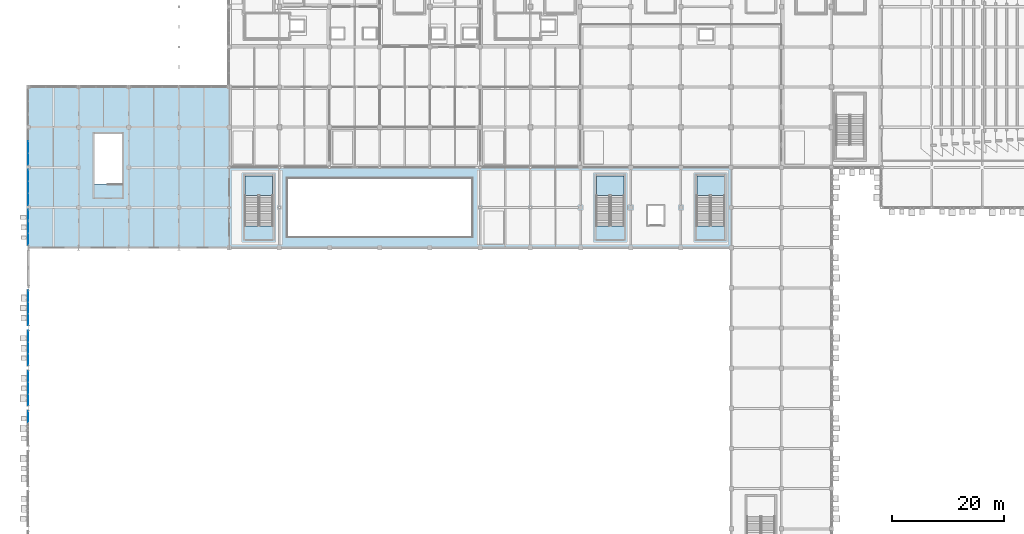
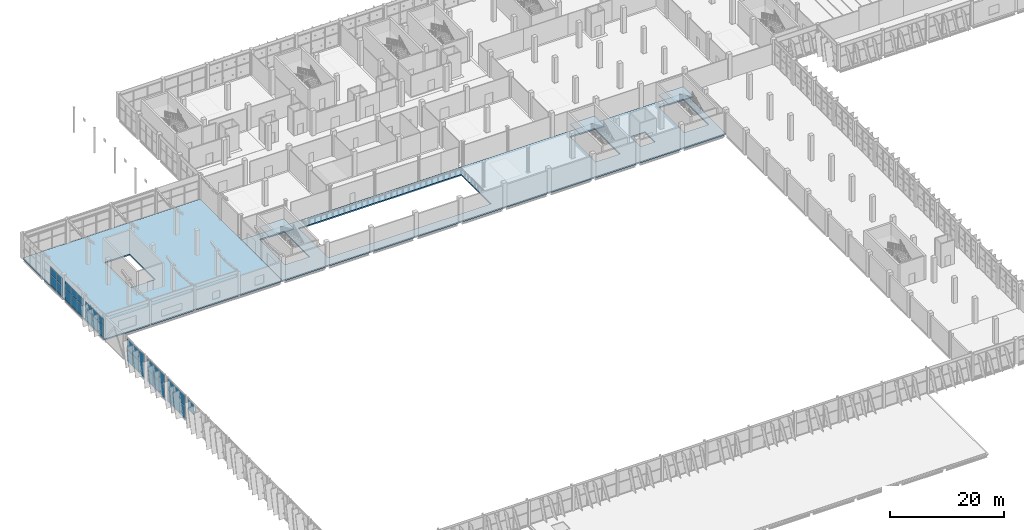
# One storey, part 114 of 189: 35 plates, 5 slabs, 10 elements without a shape of their own.
"""IFC4 building model written with IfcOpenShell, lengths in metres."""

from ifc_helpers import new_model, si_unit, direction, frame, origin, origin_2d, place, context, subcontext, project, spatial, polyline, rectangle, outline, extrude, material, layer, layer_set, type_object, element, aggregate, save


model = new_model("IFC4")

# Units and contexts
model_context = context("Model", 3, precision=1e-05, world=origin(), true_north=direction((0.0, 1.0)))
body_context = subcontext(model_context, "Body", "Model", "MODEL_VIEW")
ifc_project = project(units=[si_unit("LENGTHUNIT", "METRE"), si_unit("AREAUNIT", "SQUARE_METRE"), si_unit("VOLUMEUNIT", "CUBIC_METRE"), si_unit("PLANEANGLEUNIT", "RADIAN"), si_unit("MASSUNIT", "GRAM", prefix="KILO")], contexts=[model_context])

# Site, building, storey
site_placement = place(None, origin())
site = spatial("IfcSite", under=ifc_project, at=site_placement, CompositionType="ELEMENT")
building_placement = place(site_placement, origin())
building = spatial("IfcBuilding", under=site, at=building_placement, Name="Celestram Park Convention Centre", CompositionType="ELEMENT")
storey_placement = place(building_placement, frame((0.0, 0.0, 5.39990234375)))
storey = spatial("IfcBuildingStorey", under=building, at=storey_placement, Name="L01", CompositionType="ELEMENT", Elevation=5.39990234375)

# Curtain wall, plates
ifc_material_1 = material(Name="Anodised Aluminium Alloy 6063-T6", Category="aluminium")
ifc_layer_1 = layer(ifc_material_1, 0.179931640625)
ifc_layer_set_1 = layer_set([ifc_layer_1], Name="Anodised Aluminium Alloy 6063-T6")
curtain_wall_type_1 = type_object("IfcCurtainWallType", Name="ARC-CW-636X410", PredefinedType="NOTDEFINED", material=ifc_layer_set_1)
curtain_wall_1_placement = place(storey_placement, origin())
curtain_wall_1 = element("IfcCurtainWall", 1, at=curtain_wall_1_placement, inside=storey, type_object=curtain_wall_type_1, Name="Unitised curtain wall CU-L01-043", PredefinedType="NOTDEFINED")
ifc_material_2 = material(Name="Insulated Glazing Unit 28 mm", Category="glass")
ifc_layer_2 = layer(ifc_material_2, 0.028076171875)
ifc_layer_set_2 = layer_set([ifc_layer_2], Name="Insulated Glazing Unit 28 mm")
plate_type = type_object("IfcPlateType", Name="ARC-CWP-IGU28", PredefinedType="CURTAIN_PANEL", material=ifc_layer_set_2)
plate_1_placement = place(storey_placement, frame((0.0, 109.540771484375, 0.06005859375), z_axis=(0.0, 0.0, 1.0), x_axis=(0.0, 1.0, 0.0)))
plate_1 = element("IfcPlate", 2, at=plate_1_placement, type_object=plate_type, Name="CW-63X41 panel 1.1", PredefinedType="CURTAIN_PANEL", context=body_context, shape_type="SweptSolid", body=[
    extrude(rectangle(XDim=2.0234375, YDim=0.028076171875, at=origin_2d()), origin(), (0.0, 0.0, 1.0), 2.3701171875),
])
plate_2_placement = place(storey_placement, frame((0.0, 109.540771484375, 2.490234375), z_axis=(0.0, 0.0, 1.0), x_axis=(0.0, 1.0, 0.0)))
plate_2 = element("IfcPlate", 3, at=plate_2_placement, type_object=plate_type, Name="CW-63X41 panel 1.2", PredefinedType="CURTAIN_PANEL", context=body_context, shape_type="SweptSolid", body=[
    extrude(rectangle(XDim=2.0234375, YDim=0.028076171875, at=origin_2d()), origin(), (0.0, 0.0, 1.0), 1.550048828125),
])
plate_3_placement = place(storey_placement, frame((0.0, 111.6455078125, 0.06005859375), z_axis=(0.0, 0.0, 1.0), x_axis=(0.0, 1.0, 0.0)))
plate_3 = element("IfcPlate", 4, at=plate_3_placement, type_object=plate_type, Name="CW-63X41 panel 2.1", PredefinedType="CURTAIN_PANEL", context=body_context, shape_type="SweptSolid", body=[
    extrude(rectangle(XDim=2.055908203125, YDim=0.028076171875, at=origin_2d()), origin(), (0.0, 0.0, 1.0), 2.3701171875),
])
plate_4_placement = place(storey_placement, frame((0.0, 111.6455078125, 2.490234375), z_axis=(0.0, 0.0, 1.0), x_axis=(0.0, 1.0, 0.0)))
plate_4 = element("IfcPlate", 5, at=plate_4_placement, type_object=plate_type, Name="CW-63X41 panel 2.2", PredefinedType="CURTAIN_PANEL", context=body_context, shape_type="SweptSolid", body=[
    extrude(rectangle(XDim=2.055908203125, YDim=0.028076171875, at=origin_2d()), origin(), (0.0, 0.0, 1.0), 1.550048828125),
])
plate_5_placement = place(storey_placement, frame((0.0, 113.750244140625, 0.06005859375), z_axis=(0.0, 0.0, 1.0), x_axis=(0.0, 1.0, 0.0)))
plate_5 = element("IfcPlate", 6, at=plate_5_placement, type_object=plate_type, Name="CW-63X41 panel 3.1", PredefinedType="CURTAIN_PANEL", context=body_context, shape_type="SweptSolid", body=[
    extrude(rectangle(XDim=2.0234375, YDim=0.028076171875, at=origin_2d()), origin(), (0.0, 0.0, 1.0), 2.3701171875),
])
plate_6_placement = place(storey_placement, frame((0.0, 113.750244140625, 2.490234375), z_axis=(0.0, 0.0, 1.0), x_axis=(0.0, 1.0, 0.0)))
plate_6 = element("IfcPlate", 7, at=plate_6_placement, type_object=plate_type, Name="CW-63X41 panel 3.2", PredefinedType="CURTAIN_PANEL", context=body_context, shape_type="SweptSolid", body=[
    extrude(rectangle(XDim=2.0234375, YDim=0.028076171875, at=origin_2d()), origin(), (0.0, 0.0, 1.0), 1.550048828125),
])
aggregate(curtain_wall_1, [plate_1, plate_2, plate_3, plate_4, plate_5, plate_6])

ifc_layer_3 = layer(ifc_material_1, 0.179931640625)
ifc_layer_set_3 = layer_set([ifc_layer_3], Name="Anodised Aluminium Alloy 6063-T6")
curtain_wall_type_2 = type_object("IfcCurtainWallType", Name="ARC-CW-645X410", PredefinedType="NOTDEFINED", material=ifc_layer_set_3)
curtain_wall_2_placement = place(storey_placement, origin())
curtain_wall_2 = element("IfcCurtainWall", 8, at=curtain_wall_2_placement, inside=storey, type_object=curtain_wall_type_2, Name="Unitised curtain wall CU-L01-044", PredefinedType="NOTDEFINED")
plate_7_placement = place(storey_placement, frame((0.0, 116.664794921875, 0.06005859375), z_axis=(0.0, 0.0, 1.0), x_axis=(0.0, 1.0, 0.0)))
plate_7 = element("IfcPlate", 9, at=plate_7_placement, type_object=plate_type, Name="CW-64X41 panel 1.1", PredefinedType="CURTAIN_PANEL", context=body_context, shape_type="SweptSolid", body=[
    extrude(rectangle(XDim=2.053955078125, YDim=0.028076171875, at=origin_2d()), origin(), (0.0, 0.0, 1.0), 2.3701171875),
])
plate_8_placement = place(storey_placement, frame((0.0, 116.664794921875, 2.490234375), z_axis=(0.0, 0.0, 1.0), x_axis=(0.0, 1.0, 0.0)))
plate_8 = element("IfcPlate", 10, at=plate_8_placement, type_object=plate_type, Name="CW-64X41 panel 1.2", PredefinedType="CURTAIN_PANEL", context=body_context, shape_type="SweptSolid", body=[
    extrude(rectangle(XDim=2.053955078125, YDim=0.028076171875, at=origin_2d()), origin(), (0.0, 0.0, 1.0), 1.550048828125),
])
plate_9_placement = place(storey_placement, frame((0.0, 118.800048828125, 0.06005859375), z_axis=(0.0, 0.0, 1.0), x_axis=(0.0, 1.0, 0.0)))
plate_9 = element("IfcPlate", 11, at=plate_9_placement, type_object=plate_type, Name="CW-64X41 panel 2.1", PredefinedType="CURTAIN_PANEL", context=body_context, shape_type="SweptSolid", body=[
    extrude(rectangle(XDim=2.08642578125, YDim=0.028076171875, at=origin_2d()), origin(), (0.0, 0.0, 1.0), 2.3701171875),
])
plate_10_placement = place(storey_placement, frame((0.0, 118.800048828125, 2.490234375), z_axis=(0.0, 0.0, 1.0), x_axis=(0.0, 1.0, 0.0)))
plate_10 = element("IfcPlate", 12, at=plate_10_placement, type_object=plate_type, Name="CW-64X41 panel 2.2", PredefinedType="CURTAIN_PANEL", context=body_context, shape_type="SweptSolid", body=[
    extrude(rectangle(XDim=2.08642578125, YDim=0.028076171875, at=origin_2d()), origin(), (0.0, 0.0, 1.0), 1.550048828125),
])
plate_11_placement = place(storey_placement, frame((0.0, 120.93505859375, 0.06005859375), z_axis=(0.0, 0.0, 1.0), x_axis=(0.0, 1.0, 0.0)))
plate_11 = element("IfcPlate", 13, at=plate_11_placement, type_object=plate_type, Name="CW-64X41 panel 3.1", PredefinedType="CURTAIN_PANEL", context=body_context, shape_type="SweptSolid", body=[
    extrude(rectangle(XDim=2.053955078125, YDim=0.028076171875, at=origin_2d()), origin(), (0.0, 0.0, 1.0), 2.3701171875),
])
plate_12_placement = place(storey_placement, frame((0.0, 120.93505859375, 2.490234375), z_axis=(0.0, 0.0, 1.0), x_axis=(0.0, 1.0, 0.0)))
plate_12 = element("IfcPlate", 14, at=plate_12_placement, type_object=plate_type, Name="CW-64X41 panel 3.2", PredefinedType="CURTAIN_PANEL", context=body_context, shape_type="SweptSolid", body=[
    extrude(rectangle(XDim=2.053955078125, YDim=0.028076171875, at=origin_2d()), origin(), (0.0, 0.0, 1.0), 1.550048828125),
])
aggregate(curtain_wall_2, [plate_7, plate_8, plate_9, plate_10, plate_11, plate_12])

curtain_wall_3_placement = place(storey_placement, origin())
curtain_wall_3 = element("IfcCurtainWall", 15, at=curtain_wall_3_placement, inside=storey, type_object=curtain_wall_type_2, Name="Unitised curtain wall CU-L01-045", PredefinedType="NOTDEFINED")
plate_13_placement = place(storey_placement, frame((0.0, 123.864990234375, 0.06005859375), z_axis=(0.0, 0.0, 1.0), x_axis=(0.0, 1.0, 0.0)))
plate_13 = element("IfcPlate", 16, at=plate_13_placement, type_object=plate_type, Name="CW-64X41 panel 1.1", PredefinedType="CURTAIN_PANEL", context=body_context, shape_type="SweptSolid", body=[
    extrude(rectangle(XDim=2.053955078125, YDim=0.028076171875, at=origin_2d()), origin(), (0.0, 0.0, 1.0), 2.3701171875),
])
plate_14_placement = place(storey_placement, frame((0.0, 123.864990234375, 2.490234375), z_axis=(0.0, 0.0, 1.0), x_axis=(0.0, 1.0, 0.0)))
plate_14 = element("IfcPlate", 17, at=plate_14_placement, type_object=plate_type, Name="CW-64X41 panel 1.2", PredefinedType="CURTAIN_PANEL", context=body_context, shape_type="SweptSolid", body=[
    extrude(rectangle(XDim=2.053955078125, YDim=0.028076171875, at=origin_2d()), origin(), (0.0, 0.0, 1.0), 1.550048828125),
])
plate_15_placement = place(storey_placement, frame((0.0, 126.0, 0.06005859375), z_axis=(0.0, 0.0, 1.0), x_axis=(0.0, 1.0, 0.0)))
plate_15 = element("IfcPlate", 18, at=plate_15_placement, type_object=plate_type, Name="CW-64X41 panel 2.1", PredefinedType="CURTAIN_PANEL", context=body_context, shape_type="SweptSolid", body=[
    extrude(rectangle(XDim=2.08642578125, YDim=0.028076171875, at=origin_2d()), origin(), (0.0, 0.0, 1.0), 2.3701171875),
])
plate_16_placement = place(storey_placement, frame((0.0, 126.0, 2.490234375), z_axis=(0.0, 0.0, 1.0), x_axis=(0.0, 1.0, 0.0)))
plate_16 = element("IfcPlate", 19, at=plate_16_placement, type_object=plate_type, Name="CW-64X41 panel 2.2", PredefinedType="CURTAIN_PANEL", context=body_context, shape_type="SweptSolid", body=[
    extrude(rectangle(XDim=2.08642578125, YDim=0.028076171875, at=origin_2d()), origin(), (0.0, 0.0, 1.0), 1.550048828125),
])
aggregate(curtain_wall_3, [plate_13, plate_14, plate_15, plate_16])

# Curtain wall, plate
ifc_layer_4 = layer(ifc_material_1, 0.179931640625)
ifc_layer_set_4 = layer_set([ifc_layer_4], Name="Anodised Aluminium Alloy 6063-T6")
curtain_wall_type_3 = type_object("IfcCurtainWallType", Name="ARC-CW-627X510", PredefinedType="NOTDEFINED", material=ifc_layer_set_4)
curtain_wall_4_placement = place(storey_placement, origin())
curtain_wall_4 = element("IfcCurtainWall", 20, at=curtain_wall_4_placement, inside=storey, type_object=curtain_wall_type_3, Name="Unitised curtain wall CU-L01-119", PredefinedType="NOTDEFINED")
plate_17_placement = place(storey_placement, frame((0.0, 77.67431640625, 2.68017578125), z_axis=(0.0, 0.0, 1.0), x_axis=(0.0, 1.0, 0.0)))
plate_17 = element("IfcPlate", 21, at=plate_17_placement, type_object=plate_type, Name="CW-62X51 panel 3.2", PredefinedType="CURTAIN_PANEL", context=body_context, shape_type="SweptSolid", body=[
    extrude(rectangle(XDim=1.9931640625, YDim=0.028076171875, at=origin_2d()), origin(), (0.0, 0.0, 1.0), 2.360107421875),
])
aggregate(curtain_wall_4, [plate_17])

# Curtain wall, plates
curtain_wall_5_placement = place(storey_placement, origin())
curtain_wall_5 = element("IfcCurtainWall", 22, at=curtain_wall_5_placement, inside=storey, type_object=curtain_wall_type_3, Name="Unitised curtain wall CU-L01-120", PredefinedType="NOTDEFINED")
plate_18_placement = place(storey_placement, frame((0.0, 80.7255859375, 0.06005859375), z_axis=(0.0, 0.0, 1.0), x_axis=(0.0, 1.0, 0.0)))
plate_18 = element("IfcPlate", 23, at=plate_18_placement, type_object=plate_type, Name="CW-62X51 panel 1.1", PredefinedType="CURTAIN_PANEL", context=body_context, shape_type="SweptSolid", body=[
    extrude(rectangle(XDim=1.9931640625, YDim=0.028076171875, at=origin_2d()), origin(), (0.0, 0.0, 1.0), 2.56005859375),
])
plate_19_placement = place(storey_placement, frame((0.0, 80.7255859375, 2.68017578125), z_axis=(0.0, 0.0, 1.0), x_axis=(0.0, 1.0, 0.0)))
plate_19 = element("IfcPlate", 24, at=plate_19_placement, type_object=plate_type, Name="CW-62X51 panel 1.2", PredefinedType="CURTAIN_PANEL", context=body_context, shape_type="SweptSolid", body=[
    extrude(rectangle(XDim=1.9931640625, YDim=0.028076171875, at=origin_2d()), origin(), (0.0, 0.0, 1.0), 2.360107421875),
])
plate_20_placement = place(storey_placement, frame((0.0, 82.800048828125, 0.06005859375), z_axis=(0.0, 0.0, 1.0), x_axis=(0.0, 1.0, 0.0)))
plate_20 = element("IfcPlate", 25, at=plate_20_placement, type_object=plate_type, Name="CW-62X51 panel 2.1", PredefinedType="CURTAIN_PANEL", context=body_context, shape_type="SweptSolid", body=[
    extrude(rectangle(XDim=2.025634765625, YDim=0.028076171875, at=origin_2d()), origin(), (0.0, 0.0, 1.0), 2.56005859375),
])
plate_21_placement = place(storey_placement, frame((0.0, 82.800048828125, 2.68017578125), z_axis=(0.0, 0.0, 1.0), x_axis=(0.0, 1.0, 0.0)))
plate_21 = element("IfcPlate", 26, at=plate_21_placement, type_object=plate_type, Name="CW-62X51 panel 2.2", PredefinedType="CURTAIN_PANEL", context=body_context, shape_type="SweptSolid", body=[
    extrude(rectangle(XDim=2.025634765625, YDim=0.028076171875, at=origin_2d()), origin(), (0.0, 0.0, 1.0), 2.360107421875),
])
plate_22_placement = place(storey_placement, frame((0.0, 84.87451171875, 0.06005859375), z_axis=(0.0, 0.0, 1.0), x_axis=(0.0, 1.0, 0.0)))
plate_22 = element("IfcPlate", 27, at=plate_22_placement, type_object=plate_type, Name="CW-62X51 panel 3.1", PredefinedType="CURTAIN_PANEL", context=body_context, shape_type="SweptSolid", body=[
    extrude(rectangle(XDim=1.9931640625, YDim=0.028076171875, at=origin_2d()), origin(), (0.0, 0.0, 1.0), 2.56005859375),
])
plate_23_placement = place(storey_placement, frame((0.0, 84.87451171875, 2.68017578125), z_axis=(0.0, 0.0, 1.0), x_axis=(0.0, 1.0, 0.0)))
plate_23 = element("IfcPlate", 28, at=plate_23_placement, type_object=plate_type, Name="CW-62X51 panel 3.2", PredefinedType="CURTAIN_PANEL", context=body_context, shape_type="SweptSolid", body=[
    extrude(rectangle(XDim=1.9931640625, YDim=0.028076171875, at=origin_2d()), origin(), (0.0, 0.0, 1.0), 2.360107421875),
])
aggregate(curtain_wall_5, [plate_18, plate_19, plate_20, plate_21, plate_22, plate_23])

curtain_wall_6_placement = place(storey_placement, origin())
curtain_wall_6 = element("IfcCurtainWall", 29, at=curtain_wall_6_placement, inside=storey, type_object=curtain_wall_type_3, Name="Unitised curtain wall CU-L01-121", PredefinedType="NOTDEFINED")
plate_24_placement = place(storey_placement, frame((0.0, 87.925537109375, 0.06005859375), z_axis=(0.0, 0.0, 1.0), x_axis=(0.0, 1.0, 0.0)))
plate_24 = element("IfcPlate", 30, at=plate_24_placement, type_object=plate_type, Name="CW-62X51 panel 1.1", PredefinedType="CURTAIN_PANEL", context=body_context, shape_type="SweptSolid", body=[
    extrude(rectangle(XDim=1.9931640625, YDim=0.028076171875, at=origin_2d()), origin(), (0.0, 0.0, 1.0), 2.56005859375),
])
plate_25_placement = place(storey_placement, frame((0.0, 87.925537109375, 2.68017578125), z_axis=(0.0, 0.0, 1.0), x_axis=(0.0, 1.0, 0.0)))
plate_25 = element("IfcPlate", 31, at=plate_25_placement, type_object=plate_type, Name="CW-62X51 panel 1.2", PredefinedType="CURTAIN_PANEL", context=body_context, shape_type="SweptSolid", body=[
    extrude(rectangle(XDim=1.9931640625, YDim=0.028076171875, at=origin_2d()), origin(), (0.0, 0.0, 1.0), 2.360107421875),
])
plate_26_placement = place(storey_placement, frame((0.0, 90.0, 0.06005859375), z_axis=(0.0, 0.0, 1.0), x_axis=(0.0, 1.0, 0.0)))
plate_26 = element("IfcPlate", 32, at=plate_26_placement, type_object=plate_type, Name="CW-62X51 panel 2.1", PredefinedType="CURTAIN_PANEL", context=body_context, shape_type="SweptSolid", body=[
    extrude(rectangle(XDim=2.025634765625, YDim=0.028076171875, at=origin_2d()), origin(), (0.0, 0.0, 1.0), 2.56005859375),
])
plate_27_placement = place(storey_placement, frame((0.0, 90.0, 2.68017578125), z_axis=(0.0, 0.0, 1.0), x_axis=(0.0, 1.0, 0.0)))
plate_27 = element("IfcPlate", 33, at=plate_27_placement, type_object=plate_type, Name="CW-62X51 panel 2.2", PredefinedType="CURTAIN_PANEL", context=body_context, shape_type="SweptSolid", body=[
    extrude(rectangle(XDim=2.025634765625, YDim=0.028076171875, at=origin_2d()), origin(), (0.0, 0.0, 1.0), 2.360107421875),
])
plate_28_placement = place(storey_placement, frame((0.0, 92.074462890625, 0.06005859375), z_axis=(0.0, 0.0, 1.0), x_axis=(0.0, 1.0, 0.0)))
plate_28 = element("IfcPlate", 34, at=plate_28_placement, type_object=plate_type, Name="CW-62X51 panel 3.1", PredefinedType="CURTAIN_PANEL", context=body_context, shape_type="SweptSolid", body=[
    extrude(rectangle(XDim=1.9931640625, YDim=0.028076171875, at=origin_2d()), origin(), (0.0, 0.0, 1.0), 2.56005859375),
])
plate_29_placement = place(storey_placement, frame((0.0, 92.074462890625, 2.68017578125), z_axis=(0.0, 0.0, 1.0), x_axis=(0.0, 1.0, 0.0)))
plate_29 = element("IfcPlate", 35, at=plate_29_placement, type_object=plate_type, Name="CW-62X51 panel 3.2", PredefinedType="CURTAIN_PANEL", context=body_context, shape_type="SweptSolid", body=[
    extrude(rectangle(XDim=1.9931640625, YDim=0.028076171875, at=origin_2d()), origin(), (0.0, 0.0, 1.0), 2.360107421875),
])
aggregate(curtain_wall_6, [plate_24, plate_25, plate_26, plate_27, plate_28, plate_29])

curtain_wall_7_placement = place(storey_placement, origin())
curtain_wall_7 = element("IfcCurtainWall", 36, at=curtain_wall_7_placement, inside=storey, type_object=curtain_wall_type_3, Name="Unitised curtain wall CU-L01-122", PredefinedType="NOTDEFINED")
plate_30_placement = place(storey_placement, frame((0.0, 95.12548828125, 0.06005859375), z_axis=(0.0, 0.0, 1.0), x_axis=(0.0, 1.0, 0.0)))
plate_30 = element("IfcPlate", 37, at=plate_30_placement, type_object=plate_type, Name="CW-62X51 panel 1.1", PredefinedType="CURTAIN_PANEL", context=body_context, shape_type="SweptSolid", body=[
    extrude(rectangle(XDim=1.9931640625, YDim=0.028076171875, at=origin_2d()), origin(), (0.0, 0.0, 1.0), 2.56005859375),
])
plate_31_placement = place(storey_placement, frame((0.0, 95.12548828125, 2.68017578125), z_axis=(0.0, 0.0, 1.0), x_axis=(0.0, 1.0, 0.0)))
plate_31 = element("IfcPlate", 38, at=plate_31_placement, type_object=plate_type, Name="CW-62X51 panel 1.2", PredefinedType="CURTAIN_PANEL", context=body_context, shape_type="SweptSolid", body=[
    extrude(rectangle(XDim=1.9931640625, YDim=0.028076171875, at=origin_2d()), origin(), (0.0, 0.0, 1.0), 2.360107421875),
])
plate_32_placement = place(storey_placement, frame((0.0, 97.199951171875, 0.06005859375), z_axis=(0.0, 0.0, 1.0), x_axis=(0.0, 1.0, 0.0)))
plate_32 = element("IfcPlate", 39, at=plate_32_placement, type_object=plate_type, Name="CW-62X51 panel 2.1", PredefinedType="CURTAIN_PANEL", context=body_context, shape_type="SweptSolid", body=[
    extrude(rectangle(XDim=2.025634765625, YDim=0.028076171875, at=origin_2d()), origin(), (0.0, 0.0, 1.0), 2.56005859375),
])
plate_33_placement = place(storey_placement, frame((0.0, 97.199951171875, 2.68017578125), z_axis=(0.0, 0.0, 1.0), x_axis=(0.0, 1.0, 0.0)))
plate_33 = element("IfcPlate", 40, at=plate_33_placement, type_object=plate_type, Name="CW-62X51 panel 2.2", PredefinedType="CURTAIN_PANEL", context=body_context, shape_type="SweptSolid", body=[
    extrude(rectangle(XDim=2.025634765625, YDim=0.028076171875, at=origin_2d()), origin(), (0.0, 0.0, 1.0), 2.360107421875),
])
plate_34_placement = place(storey_placement, frame((0.0, 99.2744140625, 0.06005859375), z_axis=(0.0, 0.0, 1.0), x_axis=(0.0, 1.0, 0.0)))
plate_34 = element("IfcPlate", 41, at=plate_34_placement, type_object=plate_type, Name="CW-62X51 panel 3.1", PredefinedType="CURTAIN_PANEL", context=body_context, shape_type="SweptSolid", body=[
    extrude(rectangle(XDim=1.9931640625, YDim=0.028076171875, at=origin_2d()), origin(), (0.0, 0.0, 1.0), 2.56005859375),
])
plate_35_placement = place(storey_placement, frame((0.0, 99.2744140625, 2.68017578125), z_axis=(0.0, 0.0, 1.0), x_axis=(0.0, 1.0, 0.0)))
plate_35 = element("IfcPlate", 42, at=plate_35_placement, type_object=plate_type, Name="CW-62X51 panel 3.2", PredefinedType="CURTAIN_PANEL", context=body_context, shape_type="SweptSolid", body=[
    extrude(rectangle(XDim=1.9931640625, YDim=0.028076171875, at=origin_2d()), origin(), (0.0, 0.0, 1.0), 2.360107421875),
])
aggregate(curtain_wall_7, [plate_30, plate_31, plate_32, plate_33, plate_34, plate_35])

# Slabs
ifc_material_3 = material(Name="Concrete C35/45", Category="concrete")
ifc_layer_5 = layer(ifc_material_3, 0.280029296875)
ifc_layer_set_5 = layer_set([ifc_layer_5], Name="Concrete C35/45")
slab_type_1 = type_object("IfcSlabType", Name="STR-SLB-FLR280", PredefinedType="FLOOR", material=ifc_layer_set_5)
slab_1_placement = place(storey_placement, frame((0.0, 0.0, -0.27978515625)))
element("IfcSlab", 43, at=slab_1_placement, inside=storey, type_object=slab_type_1, Name="Floor slab L01-WPV", PredefinedType="FLOOR", context=body_context, shape_type="SweptSolid", body=[
    extrude(outline(polyline([(0.0, 108.0), (0.0, 136.800048828125), (36.0, 136.800048828125), (36.0, 108.0), (0.0, 108.0)]), holes=[polyline([(16.800048828125, 119.406005859375), (16.800048828125, 128.39990234375), (11.840087890625, 128.39990234375), (11.840087890625, 119.406005859375), (16.800048828125, 119.406005859375)])]), origin(), (0.0, 0.0, 1.0), 0.27978515625),
])
slab_2_placement = place(storey_placement, frame((0.0, 0.0, -0.27978515625)))
element("IfcSlab", 44, at=slab_2_placement, inside=storey, type_object=slab_type_1, Name="Floor slab L01-CNC", PredefinedType="FLOOR", context=body_context, shape_type="SweptSolid", body=[
    extrude(outline(polyline([(36.0, 108.0), (36.0, 122.39990234375), (126.0, 122.39990234375), (126.0, 108.0), (36.0, 108.0)]), holes=[polyline([(113.949951171875, 112.050048828125), (113.949951171875, 115.550048828125), (111.050048828125, 115.550048828125), (111.050048828125, 112.050048828125), (113.949951171875, 112.050048828125)]), polyline([(79.5, 110.0), (79.5, 120.39990234375), (46.5, 120.39990234375), (46.5, 110.0), (79.5, 110.0)]), polyline([(43.800048828125, 111.906005859375), (43.800048828125, 120.89990234375), (38.840087890625, 120.89990234375), (38.840087890625, 111.906005859375), (43.800048828125, 111.906005859375)]), polyline([(106.800048828125, 111.906005859375), (106.800048828125, 120.89990234375), (101.840087890625, 120.89990234375), (101.840087890625, 111.906005859375), (106.800048828125, 111.906005859375)]), polyline([(124.800048828125, 111.906005859375), (124.800048828125, 120.89990234375), (119.840087890625, 120.89990234375), (119.840087890625, 111.906005859375), (124.800048828125, 111.906005859375)])]), origin(), (0.0, 0.0, 1.0), 0.27978515625),
])

# Stair, slab
ifc_material_4 = material(Name="Precast Concrete C40/50", Category="concrete")
stair_type = type_object("IfcStairType", Name="ARC-STR-DOG54", PredefinedType="HALF_TURN_STAIR", material=ifc_material_4)
stair_1_placement = place(storey_placement, origin())
stair_1 = element("IfcStair", 45, at=stair_1_placement, inside=storey, type_object=stair_type, Name="L01 Core C3 stair ST-03", PredefinedType="HALF_TURN_STAIR")
ifc_layer_6 = layer(ifc_material_3, 0.199951171875)
ifc_layer_set_6 = layer_set([ifc_layer_6], Name="Concrete C35/45")
slab_type_2 = type_object("IfcSlabType", Name="STR-SLB-LND200", PredefinedType="LANDING", material=ifc_layer_set_6)
slab_3_placement = place(storey_placement, frame((0.0, 0.0, 2.5)))
slab_3 = element("IfcSlab", 46, at=slab_3_placement, type_object=slab_type_2, Name="ST-03 landing 1", PredefinedType="LANDING", context=body_context, shape_type="SweptSolid", body=[
    extrude(outline(polyline([(106.800048828125, 117.333984375), (106.800048828125, 120.89990234375), (101.840087890625, 120.89990234375), (101.840087890625, 117.333984375), (106.800048828125, 117.333984375)])), origin(), (0.0, 0.0, 1.0), 0.2001953125),
])
aggregate(stair_1, [slab_3])

stair_2_placement = place(storey_placement, origin())
stair_2 = element("IfcStair", 47, at=stair_2_placement, inside=storey, type_object=stair_type, Name="L01 Core S13 stair ST-13", PredefinedType="HALF_TURN_STAIR")
slab_4_placement = place(storey_placement, frame((0.0, 0.0, 2.5)))
slab_4 = element("IfcSlab", 48, at=slab_4_placement, type_object=slab_type_2, Name="ST-13 landing 1", PredefinedType="LANDING", context=body_context, shape_type="SweptSolid", body=[
    extrude(outline(polyline([(43.800048828125, 117.333984375), (43.800048828125, 120.89990234375), (38.840087890625, 120.89990234375), (38.840087890625, 117.333984375), (43.800048828125, 117.333984375)])), origin(), (0.0, 0.0, 1.0), 0.2001953125),
])
aggregate(stair_2, [slab_4])

stair_3_placement = place(storey_placement, origin())
stair_3 = element("IfcStair", 49, at=stair_3_placement, inside=storey, type_object=stair_type, Name="L01 Core S20 stair ST-20", PredefinedType="HALF_TURN_STAIR")
slab_5_placement = place(storey_placement, frame((0.0, 0.0, 2.5)))
slab_5 = element("IfcSlab", 50, at=slab_5_placement, type_object=slab_type_2, Name="ST-20 landing 1", PredefinedType="LANDING", context=body_context, shape_type="SweptSolid", body=[
    extrude(outline(polyline([(124.800048828125, 117.333984375), (124.800048828125, 120.89990234375), (119.840087890625, 120.89990234375), (119.840087890625, 117.333984375), (124.800048828125, 117.333984375)])), origin(), (0.0, 0.0, 1.0), 0.2001953125),
])
aggregate(stair_3, [slab_5])

save(model, "model.ifc")
